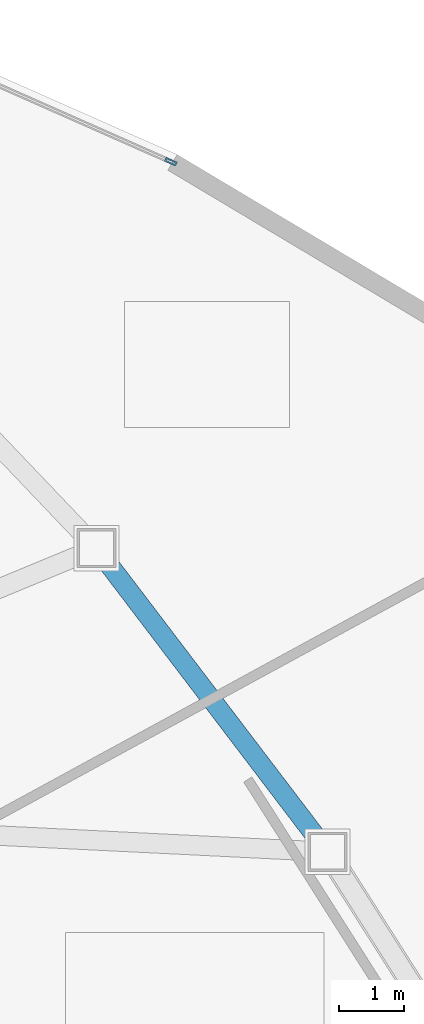
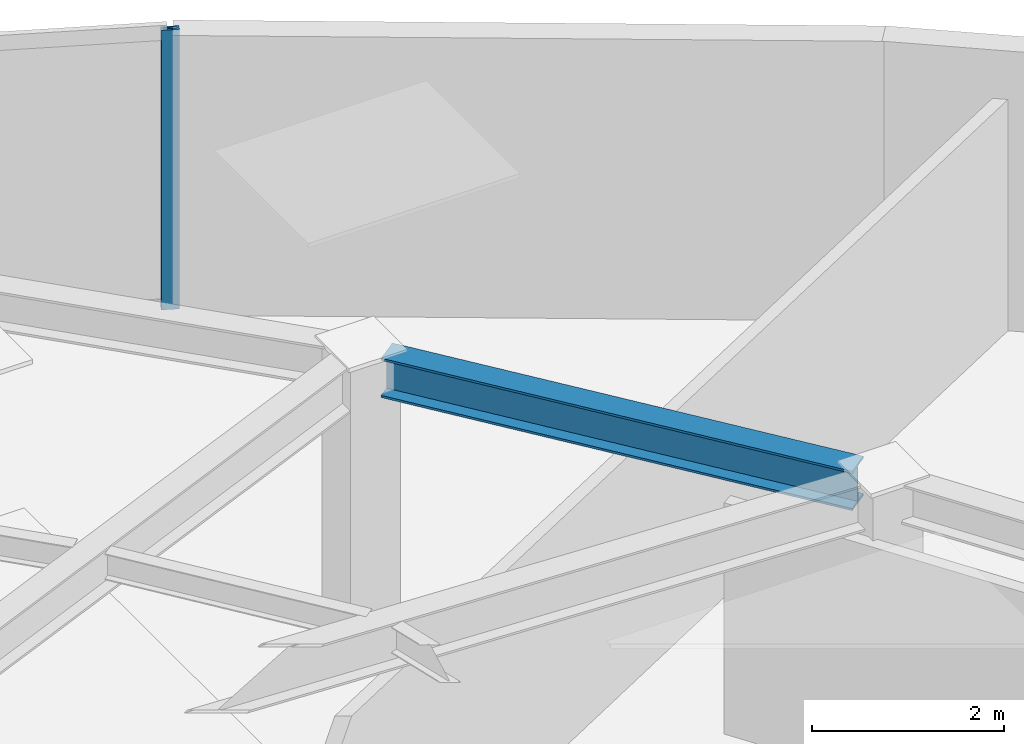
# One storey, part 9 of 17: 1 beam, 1 member, 1 element without a shape of its own.
"""IFC4 building model written with IfcOpenShell, lengths in metres."""

from ifc_helpers import new_model, si_unit, direction, frame, origin, origin_2d, place, context, subcontext, project, spatial, hollow_rectangle, i_section, extrude, source, transform, mapped, material, layer, layer_set, material_profile, profile_set, type_object, type_shapes, element, aggregate, save


model = new_model("IFC4")

# Units and contexts
model_context = context("Model", 3, precision=1e-05, world=origin(), true_north=direction((0.0, 1.0)))
body_context = subcontext(model_context, "Body", "Model", "MODEL_VIEW")
ifc_project = project(units=[si_unit("LENGTHUNIT", "METRE"), si_unit("AREAUNIT", "SQUARE_METRE"), si_unit("VOLUMEUNIT", "CUBIC_METRE"), si_unit("PLANEANGLEUNIT", "RADIAN"), si_unit("MASSUNIT", "GRAM", prefix="KILO")], contexts=[model_context])

# Site, building, storey
site_placement = place(None, origin())
site = spatial("IfcSite", under=ifc_project, at=site_placement, CompositionType="ELEMENT")
building_placement = place(site_placement, origin())
building = spatial("IfcBuilding", under=site, at=building_placement, Name="Tavelor Broadcast Tower", CompositionType="ELEMENT")
storey_placement = place(building_placement, frame((0.0, 0.0, 200.300048828125)))
storey = spatial("IfcBuildingStorey", under=building, at=storey_placement, Name="L48", CompositionType="ELEMENT", Elevation=200.300048828125)

# Beam
ifc_material_1 = material(Name="Steel S355", Category="steel")
ifc_material_profile_1 = material_profile(ifc_material_1, i_section(OverallWidth=0.300048828125, OverallDepth=0.5, WebThickness=0.014404296875, FlangeThickness=0.028076171875, at=origin_2d()), Name="HEB 500")
ifc_profile_set_1 = profile_set([ifc_material_profile_1], Name="Steel S355")
beam_type = type_object("IfcBeamType", Name="Perimeter Spandrel Beam T4 HEB 500", PredefinedType="SPANDREL", material=ifc_profile_set_1)
beam_placement = place(storey_placement, frame((69.711669921875, 50.7734375, 3.300048828125), z_axis=(-0.605502841959, 0.795843143075, 0.0), x_axis=(-0.795843143075, -0.605502841959, 0.0)))
element("IfcBeam", 1, at=beam_placement, inside=storey, type_object=beam_type, Name="L48 Framed-Tube Ring Spandrel 14", PredefinedType="SPANDREL", context=body_context, shape_type="SweptSolid", body=[
    extrude(i_section(OverallWidth=0.300048828125, OverallDepth=0.5, WebThickness=0.014404296875, FlangeThickness=0.028076171875, at=origin_2d()), origin(), (0.0, 0.0, 1.0), 5.310302734375),
])

# Curtain wall, member
ifc_material_2 = material(Name="Architectural Anodized Aluminium", Category="aluminium")
ifc_layer = layer(ifc_material_2, 0.18994140625)
ifc_layer_set = layer_set([ifc_layer], Name="Architectural Anodized Aluminium")
curtain_wall_type = type_object("IfcCurtainWallType", Name="Tower Mid-Zone Acoustic Curtain Wall CW03", PredefinedType="NOTDEFINED", material=ifc_layer_set)
curtain_wall_placement = place(storey_placement, origin())
curtain_wall = element("IfcCurtainWall", 2, at=curtain_wall_placement, inside=storey, type_object=curtain_wall_type, Name="L48 Curtain Wall CW03 Run 525", PredefinedType="NOTDEFINED")
ifc_material_profile_2 = material_profile(ifc_material_2, hollow_rectangle(XDim=0.068115234375, YDim=0.18994140625, WallThickness=0.02197265625, at=origin_2d()), Name="RHS 68x190x22")
ifc_profile_set_2 = profile_set([ifc_material_profile_2], Name="Architectural Anodized Aluminium")
member_type = type_object("IfcMemberType", Name="CW03 Extruded Aluminium Mullion 68x190", PredefinedType="MULLION", material=ifc_profile_set_2)
shared_shape = source(origin(), body_context, "Body", "SweptSolid", [
    extrude(hollow_rectangle(XDim=0.068115234375, YDim=0.18994140625, WallThickness=0.02197265625, at=origin_2d()), origin(), (0.0, 0.0, 1.0), 3.550048828125),
])
type_shapes(member_type, [shared_shape])
member_placement = place(storey_placement, frame((67.46875, 61.19091796875, 0.0), z_axis=(0.0, 0.0, 1.0), x_axis=(-0.404748967527, -0.914427839299, 0.0)))
member = element("IfcMember", 3, at=member_placement, type_object=member_type, Name="CW03 mullion 1", PredefinedType="MULLION", context=body_context, shape_type="MappedRepresentation", body=[
    mapped(shared_shape, transform((0.0, 0.0, 0.0), scale=1.0)),
])
aggregate(curtain_wall, [member])

save(model, "model.ifc")
